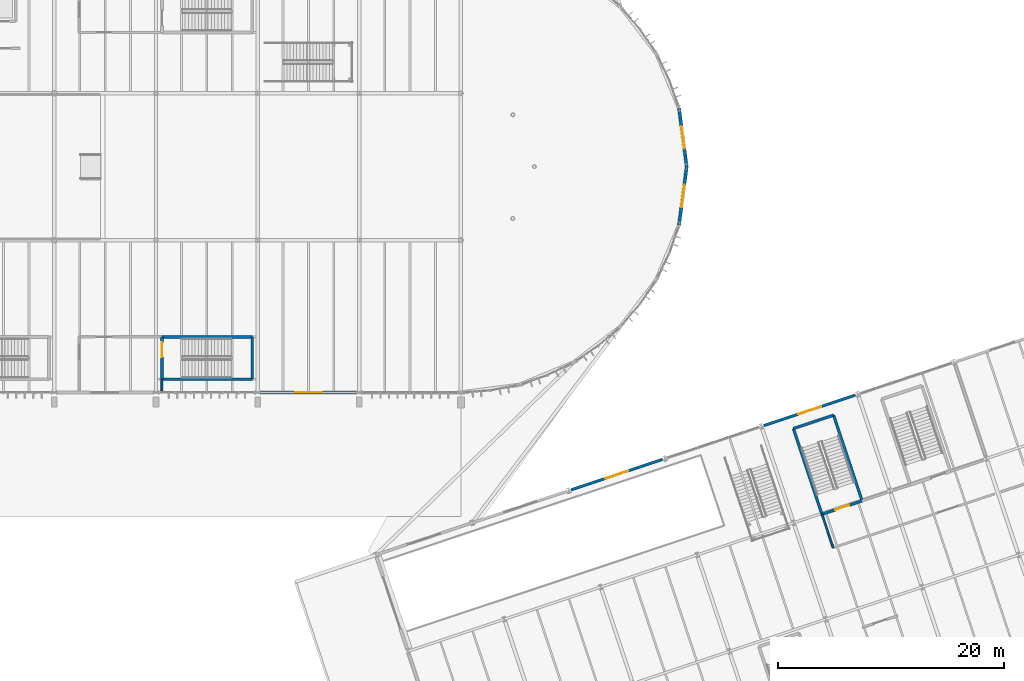
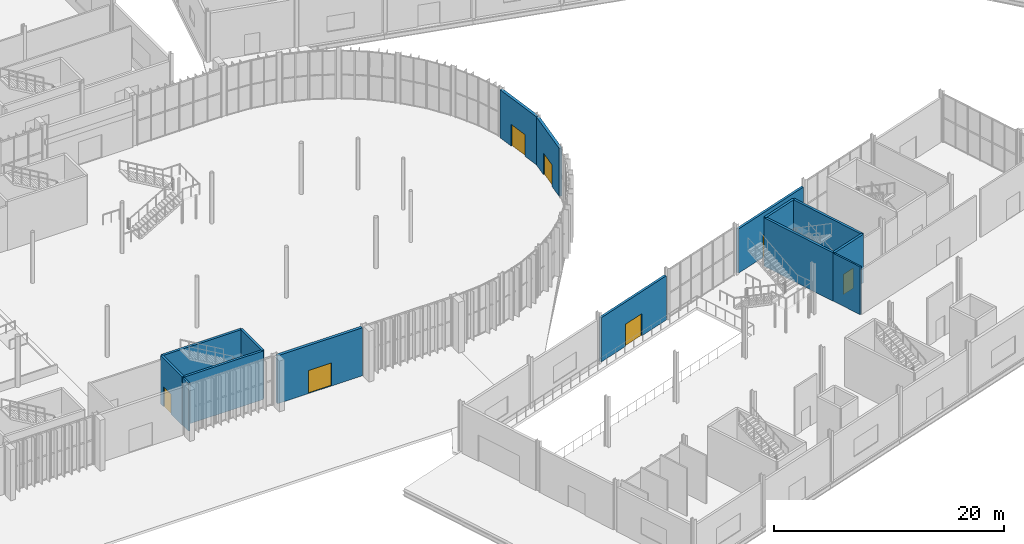
# One storey, part 122 of 158: 15 walls, 7 doors, 7 openings.
"""IFC4 building model written with IfcOpenShell, lengths in metres."""

from ifc_helpers import new_model, si_unit, derived_unit, direction, frame, frame_2d, origin, place, context, subcontext, project, spatial, rectangle, extrude, material, layer, layer_set, type_object, element, fill, save


model = new_model("IFC4")

# Units and contexts
model_context = context("Model", 3, precision=1e-05, world=origin(), true_north=direction((0.0, 1.0)))
body_context = subcontext(model_context, "Body", "Model", "MODEL_VIEW")
ifc_project = project(units=[si_unit("LENGTHUNIT", "METRE"), si_unit("AREAUNIT", "SQUARE_METRE"), si_unit("VOLUMEUNIT", "CUBIC_METRE"), si_unit("PLANEANGLEUNIT", "RADIAN"), si_unit("MASSUNIT", "GRAM", prefix="KILO"), si_unit("THERMODYNAMICTEMPERATUREUNIT", "KELVIN"), si_unit("TIMEUNIT", "SECOND"), derived_unit("THERMALTRANSMITTANCEUNIT", [(si_unit("MASSUNIT", "GRAM", prefix="KILO"), 1), (si_unit("THERMODYNAMICTEMPERATUREUNIT", "KELVIN"), -1), (si_unit("TIMEUNIT", "SECOND"), -3)])], contexts=[model_context])

# Site, building, storey
site_placement = place(None, origin())
site = spatial("IfcSite", under=ifc_project, at=site_placement, CompositionType="ELEMENT")
building_placement = place(site_placement, origin())
building = spatial("IfcBuilding", under=site, at=building_placement, Name="Cambertide Market Hall", CompositionType="ELEMENT")
storey_placement = place(building_placement, origin())
storey = spatial("IfcBuildingStorey", under=building, at=storey_placement, Name="L01", CompositionType="ELEMENT", Elevation=0.0)

# Wall, opening, door
ifc_material_1 = material(Name="Autoclaved Aerated Concrete Blockwork M7.5", Category="masonry")
ifc_layer_1 = layer(ifc_material_1, 0.235107421875, Name="Food Court Acoustic Facade Wall 235")
ifc_layer_set_1 = layer_set([ifc_layer_1], Name="Autoclaved Aerated Concrete Blockwork M7.5")
wall_type_1 = type_object("IfcWallType", Name="Food Court Acoustic Facade Wall 235", PredefinedType="SOLIDWALL", material=ifc_layer_set_1)
wall_1_placement = place(storey_placement, frame((114.765869140625, 43.38232421875, 0.0), z_axis=(0.0, 0.0, 1.0), x_axis=(0.948680432514, 0.316236362498, 0.0)))
wall_1 = element("IfcWall", 1, at=wall_1_placement, inside=storey, type_object=wall_type_1, Name="Level 1 Exterior Wall EW-L01-V3N-3", PredefinedType="SOLIDWALL", context=body_context, shape_type="SweptSolid", body=[
    extrude(rectangle(XDim=8.52001953125, YDim=0.235107421875, at=frame_2d((4.260009765625, 0.0))), origin(), (0.0, 0.0, 1.0), 4.699951171875),
])
opening_1_placement = place(wall_1_placement, frame((3.18505859375, 0.0, 0.0)))
opening_1 = element("IfcOpeningElement", 2, at=opening_1_placement, cuts=wall_1, Name="Opening ED-05", PredefinedType="OPENING", context=body_context, shape_type="SweptSolid", body=[
    extrude(rectangle(XDim=2.14990234375, YDim=2.35009765625, at=frame_2d((1.074951171875, 1.175048828125))), frame((0.0, 0.12744140625, 0.0), z_axis=(0.0, -1.0, 0.0), x_axis=(1.0, 0.0, 0.0)), (0.0, 0.0, 1.0), 0.255126953125),
])
ifc_material_2 = material(Name="Champagne Marine Anodized Aluminium 6063-T6 AA25", Category="aluminium")
door_type_1 = type_object("IfcDoorType", Name="Hawker Promenade Double Exit Door 2150x2350", OperationType="DOUBLE_DOOR_SINGLE_SWING", PredefinedType="DOOR", material=ifc_material_2)
door_1_placement = place(opening_1_placement, origin())
door_1 = element("IfcDoor", 3, at=door_1_placement, inside=storey, type_object=door_type_1, Name="Level 1 Exterior Door EW-L01-V3N-3-DR", OperationType="DOUBLE_DOOR_SINGLE_SWING", OverallHeight=2.35009765625, OverallWidth=2.14990234375, PredefinedType="DOOR", context=body_context, shape_type="SweptSolid", body=[
    extrude(rectangle(XDim=2.14990234375, YDim=2.35009765625, at=frame_2d((1.074951171875, 1.175048828125))), frame((0.0, 0.02490234375, 0.0), z_axis=(0.0, -1.0, 0.0), x_axis=(1.0, 0.0, 0.0)), (0.0, 0.0, 1.0), 0.050048828125),
])
fill(opening_1, door_1)

wall_2_placement = place(storey_placement, frame((131.842041015625, 49.074462890625, 0.0), z_axis=(0.0, 0.0, 1.0), x_axis=(0.948680432514, 0.316236362498, 0.0)))
wall_2 = element("IfcWall", 4, at=wall_2_placement, inside=storey, type_object=wall_type_1, Name="Level 1 Exterior Wall EW-L01-V3N-5", PredefinedType="SOLIDWALL", context=body_context, shape_type="SweptSolid", body=[
    extrude(rectangle(XDim=8.52001953125, YDim=0.235107421875, at=frame_2d((4.260009765625, 0.0))), origin(), (0.0, 0.0, 1.0), 4.699951171875),
])
opening_2_placement = place(wall_2_placement, frame((3.18505859375, 0.0, 0.0)))
opening_2 = element("IfcOpeningElement", 5, at=opening_2_placement, cuts=wall_2, Name="Opening ED-05", PredefinedType="OPENING", context=body_context, shape_type="SweptSolid", body=[
    extrude(rectangle(XDim=2.14990234375, YDim=2.35009765625, at=frame_2d((1.074951171875, 1.175048828125))), frame((0.0, 0.12744140625, 0.0), z_axis=(0.0, -1.0, 0.0), x_axis=(1.0, 0.0, 0.0)), (0.0, 0.0, 1.0), 0.255126953125),
])
door_2_placement = place(opening_2_placement, origin())
door_2 = element("IfcDoor", 6, at=door_2_placement, inside=storey, type_object=door_type_1, Name="Level 1 Exterior Door EW-L01-V3N-5-DR", OperationType="DOUBLE_DOOR_SINGLE_SWING", OverallHeight=2.35009765625, OverallWidth=2.14990234375, PredefinedType="DOOR", context=body_context, shape_type="SweptSolid", body=[
    extrude(rectangle(XDim=2.14990234375, YDim=2.35009765625, at=frame_2d((1.074951171875, 1.175048828125))), frame((0.0, 0.02490234375, 0.0), z_axis=(0.0, -1.0, 0.0), x_axis=(1.0, 0.0, 0.0)), (0.0, 0.0, 1.0), 0.050048828125),
])
fill(opening_2, door_2)

ifc_material_3 = material(Name="Precast concrete B35", Category="concrete")
ifc_layer_2 = layer(ifc_material_3, 0.280029296875, Name="Load-Bearing Precast Facade Wall 280")
ifc_layer_set_2 = layer_set([ifc_layer_2], Name="Precast concrete B35")
wall_type_2 = type_object("IfcWallType", Name="Load-Bearing Precast Facade Wall 280", PredefinedType="SOLIDWALL", material=ifc_layer_set_2)
wall_3_placement = place(storey_placement, frame((95.75, 52.0, 0.0), z_axis=(0.0, 0.0, 1.0), x_axis=(-1.0, 0.0, 0.0)))
wall_3 = element("IfcWall", 7, at=wall_3_placement, inside=storey, type_object=wall_type_2, Name="Level 1 Exterior Wall EW-L01-V1S-6", PredefinedType="SOLIDWALL", context=body_context, shape_type="SweptSolid", body=[
    extrude(rectangle(XDim=8.5, YDim=0.280029296875, at=frame_2d((4.25, 0.0))), origin(), (0.0, 0.0, 1.0), 5.10009765625),
])
opening_3_placement = place(wall_3_placement, frame((3.074951171875, 0.0, 0.0)))
opening_3 = element("IfcOpeningElement", 8, at=opening_3_placement, cuts=wall_3, Name="Opening ED-02", PredefinedType="OPENING", context=body_context, shape_type="SweptSolid", body=[
    extrude(rectangle(XDim=2.35009765625, YDim=2.449951171875, at=frame_2d((1.175048828125, 1.22509765625))), frame((0.0, 0.14990234375, 0.0), z_axis=(0.0, -1.0, 0.0), x_axis=(1.0, 0.0, 0.0)), (0.0, 0.0, 1.0), 0.300048828125),
])
ifc_material_4 = material(Name="Champagne Marine Anodized Aluminium 6063-T6 AA25", Category="aluminium")
door_type_2 = type_object("IfcDoorType", Name="Market Portal Double Exit Door 2350x2450", OperationType="DOUBLE_DOOR_SINGLE_SWING", PredefinedType="DOOR", material=ifc_material_4)
door_3_placement = place(opening_3_placement, origin())
door_3 = element("IfcDoor", 9, at=door_3_placement, inside=storey, type_object=door_type_2, Name="Level 1 Exterior Door EW-L01-V1S-6-DR", OperationType="DOUBLE_DOOR_SINGLE_SWING", OverallHeight=2.449951171875, OverallWidth=2.35009765625, PredefinedType="DOOR", context=body_context, shape_type="SweptSolid", body=[
    extrude(rectangle(XDim=2.35009765625, YDim=2.449951171875, at=frame_2d((1.175048828125, 1.22509765625))), frame((0.0, 0.02490234375, 0.0), z_axis=(0.0, -1.0, 0.0), x_axis=(1.0, 0.0, 0.0)), (0.0, 0.0, 1.0), 0.050048828125),
])
fill(opening_3, door_3)

wall_4_placement = place(storey_placement, frame((125.0, 72.0, 0.0), z_axis=(0.0, 0.0, 1.0), x_axis=(-0.130512574825, -0.991446654043, 0.0)))
wall_4 = element("IfcWall", 10, at=wall_4_placement, inside=storey, type_object=wall_type_2, Name="Level 1 Exterior Wall EW-L01-V1AE-P10", PredefinedType="SOLIDWALL", context=body_context, shape_type="SweptSolid", body=[
    extrude(rectangle(XDim=5.220947265625, YDim=0.280029296875, at=frame_2d((2.6103515625, 0.0))), origin(), (0.0, 0.0, 1.0), 5.10009765625),
])
opening_4_placement = place(wall_4_placement, frame((1.610595703125, 0.0, 0.0)))
opening_4 = element("IfcOpeningElement", 11, at=opening_4_placement, cuts=wall_4, Name="Opening ED-01", PredefinedType="OPENING", context=body_context, shape_type="SweptSolid", body=[
    extrude(rectangle(XDim=2.0, YDim=2.300048828125, at=frame_2d((1.0, 1.14990234375))), frame((0.0, 0.14990234375, 0.0), z_axis=(0.0, -1.0, 0.0), x_axis=(1.0, 0.0, 0.0)), (0.0, 0.0, 1.0), 0.300048828125),
])
ifc_material_5 = material(Name="Champagne Marine Anodized Aluminium 6063-T6 AA25", Category="aluminium")
door_type_3 = type_object("IfcDoorType", Name="Final Exit Double Door 2000x2300", OperationType="DOUBLE_DOOR_SINGLE_SWING", PredefinedType="DOOR", material=ifc_material_5)
door_4_placement = place(opening_4_placement, origin())
door_4 = element("IfcDoor", 12, at=door_4_placement, inside=storey, type_object=door_type_3, Name="Level 1 Exterior Door EW-L01-V1AE-P10-DR", OperationType="DOUBLE_DOOR_SINGLE_SWING", OverallHeight=2.300048828125, OverallWidth=2.0, PredefinedType="DOOR", context=body_context, shape_type="SweptSolid", body=[
    extrude(rectangle(XDim=2.0, YDim=2.300048828125, at=frame_2d((1.0, 1.14990234375))), frame((0.0, 0.02490234375, 0.0), z_axis=(0.0, -1.0, 0.0), x_axis=(1.0, 0.0, 0.0)), (0.0, 0.0, 1.0), 0.050048828125),
])
fill(opening_4, door_4)

wall_5_placement = place(storey_placement, frame((124.318603515625, 77.17626953125, 0.0), z_axis=(0.0, 0.0, 1.0), x_axis=(0.130512574825, -0.991446654043, 0.0)))
wall_5 = element("IfcWall", 13, at=wall_5_placement, inside=storey, type_object=wall_type_2, Name="Level 1 Exterior Wall EW-L01-V1AE-P12", PredefinedType="SOLIDWALL", context=body_context, shape_type="SweptSolid", body=[
    extrude(rectangle(XDim=5.220947265625, YDim=0.280029296875, at=frame_2d((2.6103515625, 0.0))), origin(), (0.0, 0.0, 1.0), 5.10009765625),
])
opening_5_placement = place(wall_5_placement, frame((1.610595703125, 0.0, 0.0)))
opening_5 = element("IfcOpeningElement", 14, at=opening_5_placement, cuts=wall_5, Name="Opening ED-01", PredefinedType="OPENING", context=body_context, shape_type="SweptSolid", body=[
    extrude(rectangle(XDim=2.0, YDim=2.300048828125, at=frame_2d((1.0, 1.14990234375))), frame((0.0, 0.14990234375, 0.0), z_axis=(0.0, -1.0, 0.0), x_axis=(1.0, 0.0, 0.0)), (0.0, 0.0, 1.0), 0.300048828125),
])
door_5_placement = place(opening_5_placement, origin())
door_5 = element("IfcDoor", 15, at=door_5_placement, inside=storey, type_object=door_type_3, Name="Level 1 Exterior Door EW-L01-V1AE-P12-DR", OperationType="DOUBLE_DOOR_SINGLE_SWING", OverallHeight=2.300048828125, OverallWidth=2.0, PredefinedType="DOOR", context=body_context, shape_type="SweptSolid", body=[
    extrude(rectangle(XDim=2.0, YDim=2.300048828125, at=frame_2d((1.0, 1.14990234375))), frame((0.0, 0.02490234375, 0.0), z_axis=(0.0, -1.0, 0.0), x_axis=(1.0, 0.0, 0.0)), (0.0, 0.0, 1.0), 0.050048828125),
])
fill(opening_5, door_5)

# Walls
ifc_material_6 = material(Name="Autoclaved Aerated Concrete Blockwork M7.5", Category="masonry")
ifc_layer_3 = layer(ifc_material_6, 0.1650390625, Name="Protected Exit Passageway Fire Wall 165")
ifc_layer_set_3 = layer_set([ifc_layer_3], Name="Autoclaved Aerated Concrete Blockwork M7.5")
wall_type_3 = type_object("IfcWallType", Name="Protected Exit Passageway Fire Wall 165", PredefinedType="PARTITIONING", material=ifc_layer_set_3)
wall_6_placement = place(storey_placement, frame((78.52490234375, 52.14990234375, 0.0), z_axis=(0.0, 0.0, 1.0), x_axis=(0.0, 1.0, 0.0)))
element("IfcWall", 16, at=wall_6_placement, inside=storey, type_object=wall_type_3, Name="Level 1 Interior Wall EXW-ST02B-E", PredefinedType="PARTITIONING", context=body_context, shape_type="SweptSolid", body=[
    extrude(rectangle(XDim=1.025146484375, YDim=0.1650390625, at=frame_2d((0.5126953125, 0.0))), origin(), (0.0, 0.0, 1.0), 5.080078125),
])
wall_7_placement = place(storey_placement, frame((137.962646484375, 38.2548828125, 0.0), z_axis=(0.0, 0.0, 1.0), x_axis=(-0.316180889294, 0.948698922338, 0.0)))
element("IfcWall", 17, at=wall_7_placement, inside=storey, type_object=wall_type_3, Name="Level 1 Interior Wall EXW-ST05B-W", PredefinedType="PARTITIONING", context=body_context, shape_type="SweptSolid", body=[
    extrude(rectangle(XDim=3.125, YDim=0.1650390625, at=frame_2d((1.5625, 0.0))), origin(), (0.0, 0.0, 1.0), 5.080078125),
])

# Wall, opening, door
ifc_material_7 = material(Name="Concrete B35", Category="concrete")
ifc_layer_4 = layer(ifc_material_7, 0.239990234375, Name="Stair & Lift Core Shaft Wall 240")
ifc_layer_set_4 = layer_set([ifc_layer_4], Name="Concrete B35")
wall_type_4 = type_object("IfcWallType", Name="Stair & Lift Core Shaft Wall 240", PredefinedType="SOLIDWALL", material=ifc_layer_set_4)
wall_8_placement = place(storey_placement, frame((78.52490234375, 53.175048828125, 0.0), z_axis=(0.0, 0.0, 1.0), x_axis=(0.0, 1.0, 0.0)))
wall_8 = element("IfcWall", 18, at=wall_8_placement, inside=storey, type_object=wall_type_4, Name="Level 1 Interior Wall SHW-ST-02B-L01-NEAR", PredefinedType="SOLIDWALL", context=body_context, shape_type="SweptSolid", body=[
    extrude(rectangle(XDim=3.75, YDim=0.239990234375, at=frame_2d((1.875, 0.0))), origin(), (0.0, 0.0, 1.0), 5.159912109375),
])
opening_6_placement = place(wall_8_placement, frame((1.9599609375, 0.0, 0.0)))
opening_6 = element("IfcOpeningElement", 19, at=opening_6_placement, cuts=wall_8, Name="Opening FD-01", PredefinedType="OPENING", context=body_context, shape_type="SweptSolid", body=[
    extrude(rectangle(XDim=1.300048828125, YDim=2.14990234375, at=frame_2d((0.64990234375, 1.074951171875))), frame((0.0, 0.1298828125, 0.0), z_axis=(0.0, -1.0, 0.0), x_axis=(1.0, 0.0, 0.0)), (0.0, 0.0, 1.0), 0.260009765625),
])
ifc_material_8 = material(Name="Powder-Coated Galvanized Sheet Metal", Category="metal")
door_type_4 = type_object("IfcDoorType", Name="Stair Core Fire Door 1300x2150", OperationType="NOTDEFINED", PredefinedType="DOOR", material=ifc_material_8)
door_6_placement = place(opening_6_placement, origin())
door_6 = element("IfcDoor", 20, at=door_6_placement, inside=storey, type_object=door_type_4, Name="Level 1 Door SHW-ST-02B-L01-NEAR-DR1", OperationType="SINGLE_SWING_LEFT", OverallHeight=2.14990234375, OverallWidth=1.300048828125, PredefinedType="DOOR", context=body_context, shape_type="SweptSolid", body=[
    extrude(rectangle(XDim=1.300048828125, YDim=2.14990234375, at=frame_2d((0.64990234375, 1.074951171875))), frame((0.0, 0.02490234375, 0.0), z_axis=(0.0, -1.0, 0.0), x_axis=(1.0, 0.0, 0.0)), (0.0, 0.0, 1.0), 0.050048828125),
])
fill(opening_6, door_6)

# Walls
wall_9_placement = place(storey_placement, frame((86.52490234375, 53.175048828125, 0.0), z_axis=(0.0, 0.0, 1.0), x_axis=(-1.0, 0.0, 0.0)))
element("IfcWall", 21, at=wall_9_placement, inside=storey, type_object=wall_type_4, Name="Level 1 Interior Wall SHW-ST-02B-L01-L", PredefinedType="SOLIDWALL", context=body_context, shape_type="SweptSolid", body=[
    extrude(rectangle(XDim=8.0, YDim=0.239990234375, at=frame_2d((4.0, 0.0))), origin(), (0.0, 0.0, 1.0), 5.159912109375),
])
wall_10_placement = place(storey_placement, frame((86.52490234375, 56.925048828125, 0.0), z_axis=(0.0, 0.0, 1.0), x_axis=(0.0, -1.0, 0.0)))
element("IfcWall", 22, at=wall_10_placement, inside=storey, type_object=wall_type_4, Name="Level 1 Interior Wall SHW-ST-02B-L01-FAR", PredefinedType="SOLIDWALL", context=body_context, shape_type="SweptSolid", body=[
    extrude(rectangle(XDim=3.75, YDim=0.239990234375, at=frame_2d((1.875, 0.0))), origin(), (0.0, 0.0, 1.0), 5.159912109375),
])
wall_11_placement = place(storey_placement, frame((78.52490234375, 56.925048828125, 0.0), z_axis=(0.0, 0.0, 1.0), x_axis=(1.0, 0.0, 0.0)))
element("IfcWall", 23, at=wall_11_placement, inside=storey, type_object=wall_type_4, Name="Level 1 Interior Wall SHW-ST-02B-L01-R", PredefinedType="SOLIDWALL", context=body_context, shape_type="SweptSolid", body=[
    extrude(rectangle(XDim=8.0, YDim=0.239990234375, at=frame_2d((4.0, 0.0))), origin(), (0.0, 0.0, 1.0), 5.159912109375),
])

# Wall, opening, door
wall_12_placement = place(storey_placement, frame((140.531982421875, 42.4052734375, 0.0), z_axis=(0.0, 0.0, 1.0), x_axis=(-0.948683298051, -0.316227766017, 0.0)))
wall_12 = element("IfcWall", 24, at=wall_12_placement, inside=storey, type_object=wall_type_4, Name="Level 1 Interior Wall SHW-ST-06B-L01-NEAR", PredefinedType="SOLIDWALL", context=body_context, shape_type="SweptSolid", body=[
    extrude(rectangle(XDim=3.749755859375, YDim=0.239990234375, at=frame_2d((1.875, 0.0))), origin(), (0.0, 0.0, 1.0), 5.14990234375),
])
opening_7_placement = place(wall_12_placement, frame((1.22509765625, 0.0, 0.0)))
opening_7 = element("IfcOpeningElement", 25, at=opening_7_placement, cuts=wall_12, Name="Opening FD-01", PredefinedType="OPENING", context=body_context, shape_type="SweptSolid", body=[
    extrude(rectangle(XDim=1.300048828125, YDim=2.14990234375, at=frame_2d((0.64990234375, 1.074951171875))), frame((0.0, 0.1298828125, 0.0), z_axis=(0.0, -1.0, 0.0), x_axis=(1.0, 0.0, 0.0)), (0.0, 0.0, 1.0), 0.260009765625),
])
door_7_placement = place(opening_7_placement, origin())
door_7 = element("IfcDoor", 26, at=door_7_placement, inside=storey, type_object=door_type_4, Name="Level 1 Door SHW-ST-06B-L01-NEAR-DR1", OperationType="SINGLE_SWING_RIGHT", OverallHeight=2.14990234375, OverallWidth=1.300048828125, PredefinedType="DOOR", context=body_context, shape_type="SweptSolid", body=[
    extrude(rectangle(XDim=1.300048828125, YDim=2.14990234375, at=frame_2d((0.64990234375, 1.074951171875))), frame((0.0, 0.02490234375, 0.0), z_axis=(0.0, -1.0, 0.0), x_axis=(1.0, 0.0, 0.0)), (0.0, 0.0, 1.0), 0.050048828125),
])
fill(opening_7, door_7)

# Walls
wall_13_placement = place(storey_placement, frame((138.002197265625, 49.994873046875, 0.0), z_axis=(0.0, 0.0, 1.0), x_axis=(0.31621861086, -0.94868634972, 0.0)))
element("IfcWall", 27, at=wall_13_placement, inside=storey, type_object=wall_type_4, Name="Level 1 Interior Wall SHW-ST-06B-L01-L", PredefinedType="SOLIDWALL", context=body_context, shape_type="SweptSolid", body=[
    extrude(rectangle(XDim=8.0, YDim=0.239990234375, at=frame_2d((4.0, 0.0))), origin(), (0.0, 0.0, 1.0), 5.14990234375),
])
wall_14_placement = place(storey_placement, frame((134.444580078125, 48.808837890625, 0.0), z_axis=(0.0, 0.0, 1.0), x_axis=(0.948670276792, 0.316266827111, 0.0)))
element("IfcWall", 28, at=wall_14_placement, inside=storey, type_object=wall_type_4, Name="Level 1 Interior Wall SHW-ST-06B-L01-FAR", PredefinedType="SOLIDWALL", context=body_context, shape_type="SweptSolid", body=[
    extrude(rectangle(XDim=3.75, YDim=0.239990234375, at=frame_2d((1.875, 0.0))), origin(), (0.0, 0.0, 1.0), 5.14990234375),
])
wall_15_placement = place(storey_placement, frame((136.974609375, 41.219482421875, 0.0), z_axis=(0.0, 0.0, 1.0), x_axis=(-0.316255231841, 0.948674142334, 0.0)))
element("IfcWall", 29, at=wall_15_placement, inside=storey, type_object=wall_type_4, Name="Level 1 Interior Wall SHW-ST-06B-L01-R", PredefinedType="SOLIDWALL", context=body_context, shape_type="SweptSolid", body=[
    extrude(rectangle(XDim=8.0, YDim=0.239990234375, at=frame_2d((4.0, 0.0))), origin(), (0.0, 0.0, 1.0), 5.14990234375),
])

save(model, "model.ifc")
